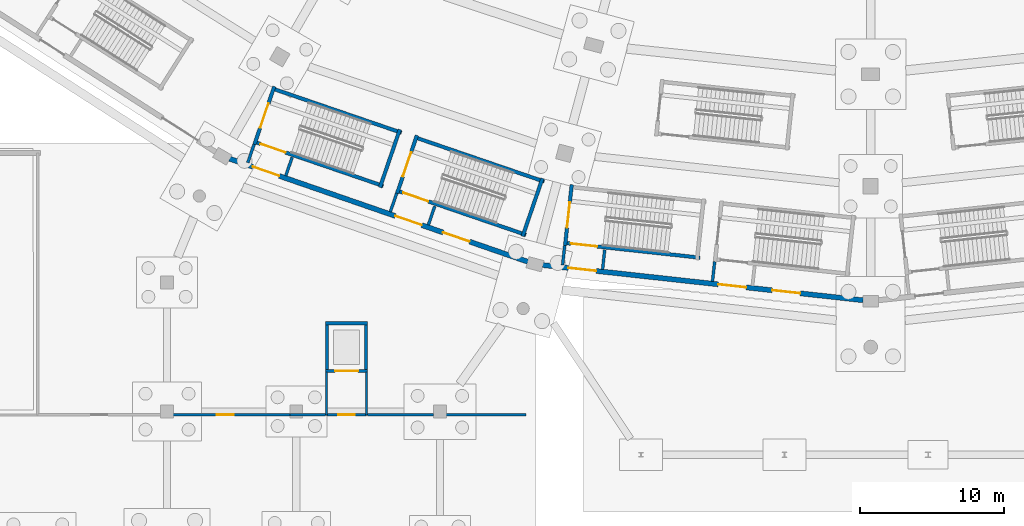
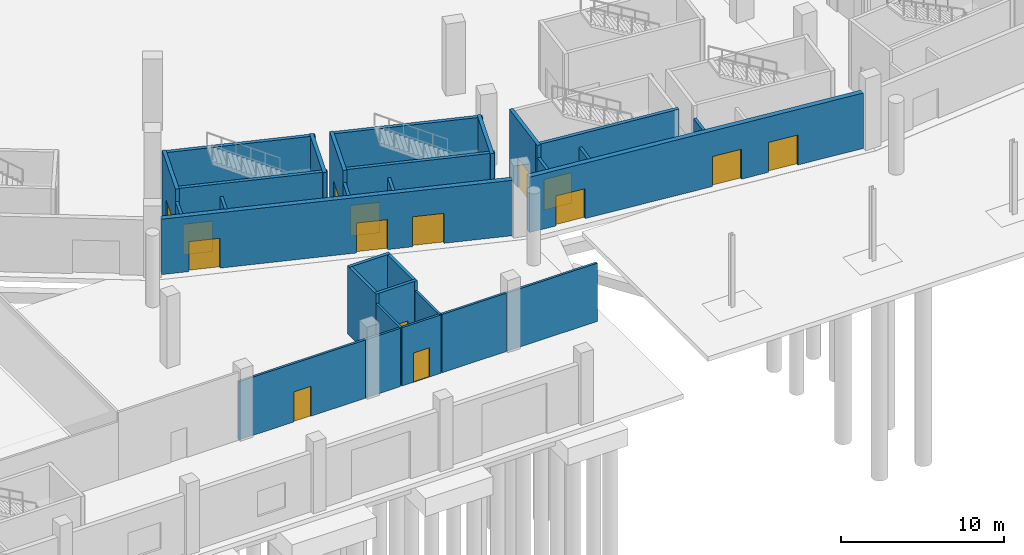
# One storey, part 32 of 103: 30 walls, 15 doors, 15 openings.
"""IFC4 building model written with IfcOpenShell, lengths in metres."""

import ifcopenshell
import ifcopenshell.guid

model = None  # the IFC model being written
_history = None  # IfcOwnerHistory: only IFC2X3 demands one
_inside = {}  # id of a spatial element -> (the spatial element, [elements in it])
_under = {}  # id of a project, library or spatial element -> (it, [spatial elements below it])
_declared = {}  # id of a project -> (the project, [libraries it declares])
_typed = {}  # id of a type object -> (the type object, [elements of that type])
_made_of = {}  # id of a material, layer set ... -> (it, [elements and type objects made of it])


def new_model(schema):
    """Start an empty IFC model of exactly this schema.

    Asked for "IFC4X3", IfcOpenShell would pick the latest addendum, in which some entities
    have other attributes; the version numbers below select the first issue.
    IFC2X3 requires an IfcOwnerHistory on every rooted entity: one is made here for all.
    """
    global model, _history
    if schema == "IFC4X3":
        model = ifcopenshell.file(schema_version=(4, 3, 0, 0))
    else:
        model = ifcopenshell.file(schema=schema)
    _inside.clear()
    _under.clear()
    _declared.clear()
    _typed.clear()
    _made_of.clear()
    _history = None
    if model.schema == "IFC2X3":
        org = make("IfcOrganization", Name="unknown")
        user = make(
            "IfcPersonAndOrganization",
            ThePerson=make("IfcPerson", FamilyName="unknown"),
            TheOrganization=org,
        )
        app = make(
            "IfcApplication",
            ApplicationDeveloper=org,
            Version="unknown",
            ApplicationFullName="unknown",
            ApplicationIdentifier="unknown",
        )
        _history = make(
            "IfcOwnerHistory",
            OwningUser=user,
            OwningApplication=app,
            ChangeAction="ADDED",
            CreationDate=0,
        )
    return model


def make(cls, **values):
    """One entity of the class cls with the attributes given. An attribute that is None is left unset."""
    return model.create_entity(
        cls, **{name: value for name, value in values.items() if value is not None}
    )


def rooted(cls, **values):
    """An entity with a GlobalId (a new one), such as an element, a storey or a relation."""
    return make(cls, GlobalId=ifcopenshell.guid.new(), OwnerHistory=_history, **values)


def si_unit(unit_type, name, prefix=None):
    """IfcSIUnit, for example si_unit("LENGTHUNIT", "METRE", prefix="MILLI")."""
    return make("IfcSIUnit", UnitType=unit_type, Prefix=prefix, Name=name)


def assignment(units):
    """IfcUnitAssignment: the units of a project."""
    return None if units is None else make("IfcUnitAssignment", Units=units)


def point(xyz):
    """IfcCartesianPoint."""
    return None if xyz is None else make("IfcCartesianPoint", Coordinates=xyz)


def direction(xyz):
    """IfcDirection."""
    return None if xyz is None else make("IfcDirection", DirectionRatios=xyz)


def frame(location, z_axis=None, x_axis=None):
    """IfcAxis2Placement3D, a coordinate frame: its origin and axes. An axis left out is left unset."""
    return make(
        "IfcAxis2Placement3D",
        Location=point(location),
        Axis=direction(z_axis),
        RefDirection=direction(x_axis),
    )


def frame_2d(location, x_axis=None):
    """IfcAxis2Placement2D, a coordinate frame in the plane: its origin and x axis."""
    return make(
        "IfcAxis2Placement2D", Location=point(location), RefDirection=direction(x_axis)
    )


def origin():
    """The frame at (0, 0, 0) with its axes left unset."""
    return frame((0.0, 0.0, 0.0))


def place(relative_to, where):
    """IfcLocalPlacement: puts the frame where relative to a parent placement (None: the world)."""
    return make(
        "IfcLocalPlacement", PlacementRelTo=relative_to, RelativePlacement=where
    )


def context(
    kind, dimensions, precision=None, world=None, true_north=None, identifier=None
):
    """IfcGeometricRepresentationContext, for example the 3D "Model" context."""
    return make(
        "IfcGeometricRepresentationContext",
        ContextIdentifier=identifier,
        ContextType=kind,
        CoordinateSpaceDimension=dimensions,
        Precision=precision,
        WorldCoordinateSystem=world,
        TrueNorth=true_north,
    )


def subcontext(parent, identifier, kind, view, scale=None):
    """IfcGeometricRepresentationSubContext, for example "Body" below "Model"."""
    return make(
        "IfcGeometricRepresentationSubContext",
        ContextIdentifier=identifier,
        ContextType=kind,
        ParentContext=parent,
        TargetScale=scale,
        TargetView=view,
    )


def project(units=None, contexts=None):
    """IfcProject with its units and contexts."""
    return rooted(
        "IfcProject",
        Name="project",
        RepresentationContexts=contexts,
        UnitsInContext=assignment(units),
    )


def spatial(cls, under=None, at=None, **own):
    """A site, building, storey or space (cls), placed at a placement, below another one or the project."""
    s = rooted(cls, ObjectPlacement=at, **own)
    if under is not None:
        _under.setdefault(under.id(), (under, []))[1].append(s)
    return s


def profile(cls, at=None, kind="AREA", **sizes):
    """A parametric profile (cls). Its sizes go by their IFC names, for example OverallWidth=200.0."""
    return make(cls, ProfileType=kind, Position=at, **sizes)


def rectangle(**sizes):
    """IfcRectangleProfileDef."""
    return profile("IfcRectangleProfileDef", **sizes)


def extrude(swept, where, along, depth):
    """IfcExtrudedAreaSolid: the profile swept, set in the frame where, extruded along a direction by depth."""
    return make(
        "IfcExtrudedAreaSolid",
        SweptArea=swept,
        Position=where,
        ExtrudedDirection=direction(along),
        Depth=depth,
    )


def shape(context_of_items, identifier, shape_type, items):
    """IfcShapeRepresentation: the items that make up one representation, for example the "Body"."""
    return make(
        "IfcShapeRepresentation",
        ContextOfItems=context_of_items,
        RepresentationIdentifier=identifier,
        RepresentationType=shape_type,
        Items=items,
    )


def material(Name=None, Category=None):
    """IfcMaterial."""
    return make("IfcMaterial", Name=Name, Category=Category)


def layer(
    of_material, thickness, ventilated=None, Name=None, Category=None, Priority=None
):
    """IfcMaterialLayer: one layer of a wall or slab, of a material (None: an air gap)."""
    return make(
        "IfcMaterialLayer",
        Material=of_material,
        LayerThickness=thickness,
        IsVentilated=ventilated,
        Name=Name,
        Category=Category,
        Priority=Priority,
    )


def layer_set(layers, Name=None):
    """IfcMaterialLayerSet."""
    return make("IfcMaterialLayerSet", MaterialLayers=layers, LayerSetName=Name)


def made_of(thing, what):
    """Note that an element or type object is made of a material, layer set ...; save() writes the relation."""
    if what is not None:
        _made_of.setdefault(what.id(), (what, []))[1].append(thing)
    return thing


def type_object(cls, material=None, **own):
    """A type object (cls), such as IfcWallType, which elements share."""
    return made_of(rooted(cls, **own), material)


def element(
    cls,
    number,
    at=None,
    inside=None,
    cuts=None,
    type_object=None,
    material=None,
    context=None,
    identifier="Body",
    shape_type=None,
    held_by="IfcProductDefinitionShape",
    body=None,
    shapes=None,
    **own,
):
    """One element of the class cls, such as IfcWall. Its Tag is "e" and its number.

    at: its placement. inside: the storey or other place that contains it. cuts: it is an
    opening in that element (IfcRelVoidsElement). A single representation is given by context,
    identifier, shape_type and body (its items); several are given by shapes. held_by: the class
    of the entity that holds the representations. save() writes the other relations.
    """
    e = rooted(cls, Tag="e%d" % number, ObjectPlacement=at, **own)
    if body is not None:
        shapes = [shape(context, identifier, shape_type, body)]
    if shapes is not None:
        e.Representation = make(held_by, Representations=shapes)
    if inside is not None:
        _inside.setdefault(inside.id(), (inside, []))[1].append(e)
    if cuts is not None:
        rooted(
            "IfcRelVoidsElement", RelatingBuildingElement=cuts, RelatedOpeningElement=e
        )
    if type_object is not None:
        _typed.setdefault(type_object.id(), (type_object, []))[1].append(e)
    return made_of(e, material)


def fill(opening, filler):
    """IfcRelFillsElement: the door or window that sits in an opening."""
    return rooted(
        "IfcRelFillsElement",
        RelatingOpeningElement=opening,
        RelatedBuildingElement=filler,
    )


def aggregate(whole, parts):
    """IfcRelAggregates: a whole, such as a stair, and the parts it consists of."""
    return rooted("IfcRelAggregates", RelatingObject=whole, RelatedObjects=parts)


def save(model, path):
    """Write the relations noted so far, then the file.

    IfcRelAggregates (storeys below a building ...), IfcRelContainedInSpatialStructure (elements
    in a storey), IfcRelDefinesByType, IfcRelAssociatesMaterial and IfcRelDeclares: one each for
    every whole, place, type object, material and project.
    """
    for whole, parts in _under.values():
        aggregate(whole, parts)
    for where, things in _inside.values():
        rooted(
            "IfcRelContainedInSpatialStructure",
            RelatedElements=things,
            RelatingStructure=where,
        )
    for kind, things in _typed.values():
        rooted("IfcRelDefinesByType", RelatedObjects=things, RelatingType=kind)
    for what, things in _made_of.values():
        rooted("IfcRelAssociatesMaterial", RelatedObjects=things, RelatingMaterial=what)
    for by, libraries in _declared.values():
        rooted("IfcRelDeclares", RelatingContext=by, RelatedDefinitions=libraries)
    model.write(path)


model = new_model("IFC4")

# Units and contexts
model_context = context("Model", 3, precision=1e-05, world=origin(), true_north=direction((0.0, 1.0)))
body_context = subcontext(model_context, "Body", "Model", "MODEL_VIEW")
ifc_project = project(units=[si_unit("LENGTHUNIT", "METRE"), si_unit("AREAUNIT", "SQUARE_METRE"), si_unit("VOLUMEUNIT", "CUBIC_METRE"), si_unit("PLANEANGLEUNIT", "RADIAN"), si_unit("MASSUNIT", "GRAM", prefix="KILO")], contexts=[model_context])

# Site, building, storey
site_placement = place(None, origin())
site = spatial("IfcSite", under=ifc_project, at=site_placement, CompositionType="ELEMENT")
building_placement = place(site_placement, origin())
building = spatial("IfcBuilding", under=site, at=building_placement, Name="Zevraka Park Crest Stadium", CompositionType="ELEMENT")
storey_placement = place(building_placement, origin())
storey = spatial("IfcBuildingStorey", under=building, at=storey_placement, Name="L00", CompositionType="ELEMENT", Elevation=0.0)

# Wall, openings, doors
ifc_material_1 = material(Name="Limestone and red clay brick masonry", Category="masonry")
ifc_layer_1 = layer(ifc_material_1, 0.35009765625)
ifc_layer_set_1 = layer_set([ifc_layer_1], Name="Limestone and red clay brick masonry")
wall_type_1 = type_object("IfcWallType", Name="EW01", PredefinedType="STANDARD", material=ifc_layer_set_1)
wall_1_placement = place(storey_placement, frame((88.131103515625, 19.43798828125, 0.0), z_axis=(0.0, 0.0, 1.0), x_axis=(-0.945215757663, 0.326446276538, 0.0)))
wall_1 = element("IfcWall", 1, at=wall_1_placement, inside=storey, type_object=wall_type_1, Name="L00 Pointed-Arch Colonnade Wall EW01 16", PredefinedType="STANDARD", context=body_context, shape_type="SweptSolid", body=[
    extrude(rectangle(XDim=21.979248046875, YDim=0.35009765625, at=frame_2d((10.98974609375, 0.0))), origin(), (0.0, 0.0, 1.0), 4.1650390625),
])
opening_1_placement = place(wall_1_placement, frame((18.318115234375, 0.0, 0.0)))
opening_1 = element("IfcOpeningElement", 2, at=opening_1_placement, cuts=wall_1, Name="Opening D-L00-EX-ST17", PredefinedType="OPENING", context=body_context, shape_type="SweptSolid", body=[
    extrude(rectangle(XDim=1.949951171875, YDim=2.25, at=frame_2d((0.97509765625, 1.125))), frame((0.0, 0.18505859375, 0.0), z_axis=(0.0, -1.0, 0.0), x_axis=(1.0, 0.0, 0.0)), (0.0, 0.0, 1.0), 0.3701171875),
])
opening_2_placement = place(wall_1_placement, frame((7.818115234375, 0.0, 0.0)))
opening_2 = element("IfcOpeningElement", 3, at=opening_2_placement, cuts=wall_1, Name="Opening D-L00-EX-ST29", PredefinedType="OPENING", context=body_context, shape_type="SweptSolid", body=[
    extrude(rectangle(XDim=1.949951171875, YDim=2.25, at=frame_2d((0.97509765625, 1.125))), frame((0.0, 0.18505859375, 0.0), z_axis=(0.0, -1.0, 0.0), x_axis=(1.0, 0.0, 0.0)), (0.0, 0.0, 1.0), 0.3701171875),
])
opening_3_placement = place(wall_1_placement, frame((4.300048828125, 0.0, 0.0)))
opening_3 = element("IfcOpeningElement", 4, at=opening_3_placement, cuts=wall_1, Name="Opening D-L00-E17", PredefinedType="OPENING", context=body_context, shape_type="SweptSolid", body=[
    extrude(rectangle(XDim=1.949951171875, YDim=2.25, at=frame_2d((0.97509765625, 1.125))), frame((0.0, 0.18505859375, 0.0), z_axis=(0.0, -1.0, 0.0), x_axis=(1.0, 0.0, 0.0)), (0.0, 0.0, 1.0), 0.3701171875),
])
ifc_material_2 = material(Name="Thermally broken architectural aluminium and safety glass", Category="aluminium")
door_type_1 = type_object("IfcDoorType", Name="ED05", OperationType="NOTDEFINED", PredefinedType="DOOR", material=ifc_material_2)
door_1_placement = place(opening_1_placement, origin())
door_1 = element("IfcDoor", 5, at=door_1_placement, inside=storey, type_object=door_type_1, Name="Stair Final Exit Discharge Door D-L00-EX-ST17", OperationType="DOUBLE_DOOR_SINGLE_SWING", OverallHeight=2.25, OverallWidth=1.949951171875, PredefinedType="DOOR", context=body_context, shape_type="SweptSolid", body=[
    extrude(rectangle(XDim=1.949951171875, YDim=2.25, at=frame_2d((0.97509765625, 1.125))), frame((0.0, 0.02490234375, 0.0), z_axis=(0.0, -1.0, 0.0), x_axis=(1.0, 0.0, 0.0)), (0.0, 0.0, 1.0), 0.050048828125),
])
fill(opening_1, door_1)
door_2_placement = place(opening_2_placement, origin())
door_2 = element("IfcDoor", 6, at=door_2_placement, inside=storey, type_object=door_type_1, Name="Stair Final Exit Discharge Door D-L00-EX-ST29", OperationType="DOUBLE_DOOR_SINGLE_SWING", OverallHeight=2.25, OverallWidth=1.949951171875, PredefinedType="DOOR", context=body_context, shape_type="SweptSolid", body=[
    extrude(rectangle(XDim=1.949951171875, YDim=2.25, at=frame_2d((0.97509765625, 1.125))), frame((0.0, 0.02490234375, 0.0), z_axis=(0.0, -1.0, 0.0), x_axis=(1.0, 0.0, 0.0)), (0.0, 0.0, 1.0), 0.050048828125),
])
fill(opening_2, door_2)
door_3_placement = place(opening_3_placement, origin())
door_3 = element("IfcDoor", 7, at=door_3_placement, inside=storey, type_object=door_type_1, Name="Concourse Final Exit E17", OperationType="DOUBLE_DOOR_SINGLE_SWING", OverallHeight=2.25, OverallWidth=1.949951171875, PredefinedType="DOOR", context=body_context, shape_type="SweptSolid", body=[
    extrude(rectangle(XDim=1.949951171875, YDim=2.25, at=frame_2d((0.97509765625, 1.125))), frame((0.0, 0.02490234375, 0.0), z_axis=(0.0, -1.0, 0.0), x_axis=(1.0, 0.0, 0.0)), (0.0, 0.0, 1.0), 0.050048828125),
])
fill(opening_3, door_3)

wall_2_placement = place(storey_placement, frame((111.47509765625, 16.758056640625, 0.0), z_axis=(0.0, 0.0, 1.0), x_axis=(-0.994028735725, 0.10911861689, 0.0)))
wall_2 = element("IfcWall", 8, at=wall_2_placement, inside=storey, type_object=wall_type_1, Name="L00 Pointed-Arch Colonnade Wall EW01 17", PredefinedType="STANDARD", context=body_context, shape_type="SweptSolid", body=[
    extrude(rectangle(XDim=22.4521484375, YDim=0.35009765625, at=frame_2d((11.22607421875, 0.0))), origin(), (0.0, 0.0, 1.0), 4.1650390625),
])
opening_4_placement = place(wall_2_placement, frame((18.697021484375, 0.0, 0.0)))
opening_4 = element("IfcOpeningElement", 9, at=opening_4_placement, cuts=wall_2, Name="Opening D-L00-EX-ST18", PredefinedType="OPENING", context=body_context, shape_type="SweptSolid", body=[
    extrude(rectangle(XDim=1.949951171875, YDim=2.25, at=frame_2d((0.97509765625, 1.125))), frame((0.0, 0.18505859375, 0.0), z_axis=(0.0, -1.0, 0.0), x_axis=(1.0, 0.0, 0.0)), (0.0, 0.0, 1.0), 0.3701171875),
])
opening_5_placement = place(wall_2_placement, frame((8.197021484375, 0.0, 0.0)))
opening_5 = element("IfcOpeningElement", 10, at=opening_5_placement, cuts=wall_2, Name="Opening D-L00-EX-ST30", PredefinedType="OPENING", context=body_context, shape_type="SweptSolid", body=[
    extrude(rectangle(XDim=1.949951171875, YDim=2.25, at=frame_2d((0.97509765625, 1.125))), frame((0.0, 0.18505859375, 0.0), z_axis=(0.0, -1.0, 0.0), x_axis=(1.0, 0.0, 0.0)), (0.0, 0.0, 1.0), 0.3701171875),
])
opening_6_placement = place(wall_2_placement, frame((4.4130859375, 0.0, 0.0)))
opening_6 = element("IfcOpeningElement", 11, at=opening_6_placement, cuts=wall_2, Name="Opening D-L00-E18", PredefinedType="OPENING", context=body_context, shape_type="SweptSolid", body=[
    extrude(rectangle(XDim=1.949951171875, YDim=2.25, at=frame_2d((0.97509765625, 1.125))), frame((0.0, 0.18505859375, 0.0), z_axis=(0.0, -1.0, 0.0), x_axis=(1.0, 0.0, 0.0)), (0.0, 0.0, 1.0), 0.3701171875),
])
door_4_placement = place(opening_4_placement, origin())
door_4 = element("IfcDoor", 12, at=door_4_placement, inside=storey, type_object=door_type_1, Name="Stair Final Exit Discharge Door D-L00-EX-ST18", OperationType="DOUBLE_DOOR_SINGLE_SWING", OverallHeight=2.25, OverallWidth=1.949951171875, PredefinedType="DOOR", context=body_context, shape_type="SweptSolid", body=[
    extrude(rectangle(XDim=1.949951171875, YDim=2.25, at=frame_2d((0.97509765625, 1.125))), frame((0.0, 0.02490234375, 0.0), z_axis=(0.0, -1.0, 0.0), x_axis=(1.0, 0.0, 0.0)), (0.0, 0.0, 1.0), 0.050048828125),
])
fill(opening_4, door_4)
door_5_placement = place(opening_5_placement, origin())
door_5 = element("IfcDoor", 13, at=door_5_placement, inside=storey, type_object=door_type_1, Name="Stair Final Exit Discharge Door D-L00-EX-ST30", OperationType="DOUBLE_DOOR_SINGLE_SWING", OverallHeight=2.25, OverallWidth=1.949951171875, PredefinedType="DOOR", context=body_context, shape_type="SweptSolid", body=[
    extrude(rectangle(XDim=1.949951171875, YDim=2.25, at=frame_2d((0.97509765625, 1.125))), frame((0.0, 0.02490234375, 0.0), z_axis=(0.0, -1.0, 0.0), x_axis=(1.0, 0.0, 0.0)), (0.0, 0.0, 1.0), 0.050048828125),
])
fill(opening_5, door_5)
door_6_placement = place(opening_6_placement, origin())
door_6 = element("IfcDoor", 14, at=door_6_placement, inside=storey, type_object=door_type_1, Name="Concourse Final Exit E18", OperationType="DOUBLE_DOOR_SINGLE_SWING", OverallHeight=2.25, OverallWidth=1.949951171875, PredefinedType="DOOR", context=body_context, shape_type="SweptSolid", body=[
    extrude(rectangle(XDim=1.949951171875, YDim=2.25, at=frame_2d((0.97509765625, 1.125))), frame((0.0, 0.02490234375, 0.0), z_axis=(0.0, -1.0, 0.0), x_axis=(1.0, 0.0, 0.0)), (0.0, 0.0, 1.0), 0.050048828125),
])
fill(opening_6, door_6)

# Walls
ifc_material_3 = material(Name="Autoclaved aerated masonry blockwork", Category="masonry")
ifc_layer_2 = layer(ifc_material_3, 0.199951171875)
ifc_layer_set_2 = layer_set([ifc_layer_2], Name="Autoclaved aerated masonry blockwork")
wall_type_2 = type_object("IfcWallType", Name="IW01", PredefinedType="PARTITIONING", material=ifc_layer_set_2)
wall_3_placement = place(storey_placement, frame((69.06298828125, 27.615966796875, 0.0), z_axis=(0.0, 0.0, 1.0), x_axis=(-0.326626008273, -0.945153665136, 0.0)))
element("IfcWall", 15, at=wall_3_placement, inside=storey, type_object=wall_type_2, Name="Protected Exit Passageway Wall IW01 ST17-A", PredefinedType="PARTITIONING", context=body_context, shape_type="SweptSolid", body=[
    extrude(rectangle(XDim=1.349853515625, YDim=0.199951171875, at=frame_2d((0.6748046875, 0.0))), origin(), (0.0, 0.0, 1.0), 4.1650390625),
])
wall_4_placement = place(storey_placement, frame((71.712158203125, 26.708984375, 0.0), z_axis=(0.0, 0.0, 1.0), x_axis=(-0.326461818728, -0.945210389761, 0.0)))
element("IfcWall", 16, at=wall_4_placement, inside=storey, type_object=wall_type_2, Name="Protected Exit Passageway Wall IW01 ST17-B", PredefinedType="PARTITIONING", context=body_context, shape_type="SweptSolid", body=[
    extrude(rectangle(XDim=1.357421875, YDim=0.199951171875, at=frame_2d((0.6787109375, 0.0))), origin(), (0.0, 0.0, 1.0), 4.1650390625),
])
wall_5_placement = place(storey_placement, frame((90.69580078125, 20.57666015625, 0.0), z_axis=(0.0, 0.0, 1.0), x_axis=(-0.109105210456, -0.994030207313, 0.0)))
element("IfcWall", 17, at=wall_5_placement, inside=storey, type_object=wall_type_2, Name="Protected Exit Passageway Wall IW01 ST18-A", PredefinedType="PARTITIONING", context=body_context, shape_type="SweptSolid", body=[
    extrude(rectangle(XDim=1.3740234375, YDim=0.199951171875, at=frame_2d((0.68701171875, 0.0))), origin(), (0.0, 0.0, 1.0), 4.1650390625),
])
wall_6_placement = place(storey_placement, frame((93.4794921875, 20.273681640625, 0.0), z_axis=(0.0, 0.0, 1.0), x_axis=(-0.109301909368, -0.994008597854, 0.0)))
element("IfcWall", 18, at=wall_6_placement, inside=storey, type_object=wall_type_2, Name="Protected Exit Passageway Wall IW01 ST18-B", PredefinedType="PARTITIONING", context=body_context, shape_type="SweptSolid", body=[
    extrude(rectangle(XDim=1.3759765625, YDim=0.199951171875, at=frame_2d((0.68798828125, 0.0))), origin(), (0.0, 0.0, 1.0), 4.1650390625),
])
wall_7_placement = place(storey_placement, frame((78.9970703125, 24.215087890625, 0.0), z_axis=(0.0, 0.0, 1.0), x_axis=(-0.326410930849, -0.945227964156, 0.0)))
element("IfcWall", 19, at=wall_7_placement, inside=storey, type_object=wall_type_2, Name="Protected Exit Passageway Wall IW01 ST29-A", PredefinedType="PARTITIONING", context=body_context, shape_type="SweptSolid", body=[
    extrude(rectangle(XDim=1.37841796875, YDim=0.199951171875, at=frame_2d((0.689208984375, 0.0))), origin(), (0.0, 0.0, 1.0), 4.1650390625),
])
wall_8_placement = place(storey_placement, frame((81.64599609375, 23.307861328125, 0.0), z_axis=(0.0, 0.0, 1.0), x_axis=(-0.32614815498, -0.945318666378, 0.0)))
element("IfcWall", 20, at=wall_8_placement, inside=storey, type_object=wall_type_2, Name="Protected Exit Passageway Wall IW01 ST29-B", PredefinedType="PARTITIONING", context=body_context, shape_type="SweptSolid", body=[
    extrude(rectangle(XDim=1.385498046875, YDim=0.199951171875, at=frame_2d((0.69287109375, 0.0))), origin(), (0.0, 0.0, 1.0), 4.1650390625),
])
wall_9_placement = place(storey_placement, frame((101.1337890625, 19.440673828125, 0.0), z_axis=(0.0, 0.0, 1.0), x_axis=(-0.109094546517, -0.994031377734, 0.0)))
element("IfcWall", 21, at=wall_9_placement, inside=storey, type_object=wall_type_2, Name="Protected Exit Passageway Wall IW01 ST30-A", PredefinedType="PARTITIONING", context=body_context, shape_type="SweptSolid", body=[
    extrude(rectangle(XDim=1.383056640625, YDim=0.199951171875, at=frame_2d((0.69140625, 0.0))), origin(), (0.0, 0.0, 1.0), 4.1650390625),
])
ifc_material_4 = material(Name="Fire-rated twin-stud acoustic drywall", Category="other")
ifc_layer_3 = layer(ifc_material_4, 0.159912109375)
ifc_layer_set_3 = layer_set([ifc_layer_3], Name="Fire-rated twin-stud acoustic drywall")
wall_type_3 = type_object("IfcWallType", Name="IW02", PredefinedType="PARTITIONING", material=ifc_layer_set_3)
for number, where, z_axis, x_axis, name in (
    (22, (74.110107421875, 11.75, 0.0), (0.0, 0.0, 1.0), (0.0, -1.0, 0.0), "Goods Lift Lobby Wall IW02 GL02 L00 LEFT"),
    (23, (76.889892578125, 11.75, 0.0), (0.0, 0.0, 1.0), (0.0, -1.0, 0.0), "Goods Lift Lobby Wall IW02 GL02 L00 RIGHT"),
):
    element("IfcWall", number, at=place(storey_placement, frame(where, z_axis=z_axis, x_axis=x_axis)), inside=storey, type_object=wall_type_3, Name=name, PredefinedType="PARTITIONING", context=body_context, shape_type="SweptSolid", body=[
        extrude(rectangle(XDim=2.969970703125, YDim=0.159912109375, at=frame_2d((1.48486328125, 0.0))), origin(), (0.0, 0.0, 1.0), 4.383544921875),
    ])

# Wall, opening, door
wall_10_placement = place(storey_placement, frame((74.110107421875, 8.780029296875, 0.0), z_axis=(0.0, 0.0, 1.0), x_axis=(1.0, 0.0, 0.0)))
wall_10 = element("IfcWall", 24, at=wall_10_placement, inside=storey, type_object=wall_type_3, Name="Goods Lift Lobby Wall IW02 GL02 L00 FRONT", PredefinedType="PARTITIONING", context=body_context, shape_type="SweptSolid", body=[
    extrude(rectangle(XDim=2.77978515625, YDim=0.159912109375, at=frame_2d((1.389892578125, 0.0))), origin(), (0.0, 0.0, 1.0), 4.383544921875),
])
opening_7_placement = place(wall_10_placement, frame((0.81494140625, 0.0, 0.0)))
opening_7 = element("IfcOpeningElement", 25, at=opening_7_placement, cuts=wall_10, Name="Opening D-L00-333", PredefinedType="OPENING", context=body_context, shape_type="SweptSolid", body=[
    extrude(rectangle(XDim=1.14990234375, YDim=2.199951171875, at=frame_2d((0.574951171875, 1.10009765625))), frame((0.0, 0.08984375, 0.0), z_axis=(0.0, -1.0, 0.0), x_axis=(1.0, 0.0, 0.0)), (0.0, 0.0, 1.0), 0.179931640625),
])
ifc_material_5 = material(Name="Solid-core hardwood timber leaf in steel frame", Category="steel")
door_type_2 = type_object("IfcDoorType", Name="DR03", OperationType="NOTDEFINED", PredefinedType="DOOR", material=ifc_material_5)
door_7_placement = place(opening_7_placement, origin())
door_7 = element("IfcDoor", 26, at=door_7_placement, inside=storey, type_object=door_type_2, Name="Goods Lift Lobby GL02 Door D-L00-333", OperationType="SINGLE_SWING_LEFT", OverallHeight=2.199951171875, OverallWidth=1.14990234375, PredefinedType="DOOR", context=body_context, shape_type="SweptSolid", body=[
    extrude(rectangle(XDim=1.14990234375, YDim=2.199951171875, at=frame_2d((0.574951171875, 1.10009765625))), frame((0.0, 0.02490234375, 0.0), z_axis=(0.0, -1.0, 0.0), x_axis=(1.0, 0.0, 0.0)), (0.0, 0.0, 1.0), 0.050048828125),
])
fill(opening_7, door_7)

wall_11_placement = place(storey_placement, frame((62.550048828125, 8.780029296875, 0.0), z_axis=(0.0, 0.0, 1.0), x_axis=(1.0, 0.0, 0.0)))
wall_11 = element("IfcWall", 27, at=wall_11_placement, inside=storey, type_object=wall_type_3, Name="Interior Partition IW02 Enclosed Broadcast Truck Loading Bay L00", PredefinedType="PARTITIONING", context=body_context, shape_type="SweptSolid", body=[
    extrude(rectangle(XDim=9.014892578125, YDim=0.159912109375, at=frame_2d((4.50732421875, 0.0))), origin(), (0.0, 0.0, 1.0), 4.383544921875),
])
opening_8_placement = place(wall_11_placement, frame((3.91796875, 0.0, 0.0)))
opening_8 = element("IfcOpeningElement", 28, at=opening_8_placement, cuts=wall_11, Name="Opening D-L00-368", PredefinedType="OPENING", context=body_context, shape_type="SweptSolid", body=[
    extrude(rectangle(XDim=1.179931640625, YDim=2.25, at=frame_2d((0.58984375, 1.125))), frame((0.0, 0.08984375, 0.0), z_axis=(0.0, -1.0, 0.0), x_axis=(1.0, 0.0, 0.0)), (0.0, 0.0, 1.0), 0.179931640625),
])
ifc_material_6 = material(Name="Solid-core hardwood timber leaf in steel frame", Category="steel")
door_type_3 = type_object("IfcDoorType", Name="DR24", OperationType="NOTDEFINED", PredefinedType="DOOR", material=ifc_material_6)
door_8_placement = place(opening_8_placement, origin())
door_8 = element("IfcDoor", 29, at=door_8_placement, inside=storey, type_object=door_type_3, Name="Enclosed Broadcast Truck Loading Bay Door D-L00-368", OperationType="SINGLE_SWING_LEFT", OverallHeight=2.25, OverallWidth=1.179931640625, PredefinedType="DOOR", context=body_context, shape_type="SweptSolid", body=[
    extrude(rectangle(XDim=1.179931640625, YDim=2.25, at=frame_2d((0.58984375, 1.125))), frame((0.0, 0.02490234375, 0.0), z_axis=(0.0, -1.0, 0.0), x_axis=(1.0, 0.0, 0.0)), (0.0, 0.0, 1.0), 0.050048828125),
])
fill(opening_8, door_8)

# Walls
wall_12_placement = place(storey_placement, frame((71.550048828125, 8.780029296875, 0.0), z_axis=(0.0, 0.0, 1.0), x_axis=(1.0, 0.0, 0.0)))
element("IfcWall", 30, at=wall_12_placement, inside=storey, type_object=wall_type_3, Name="Interior Partition IW02 Enclosed Broadcast Truck Loading Bay L00", PredefinedType="PARTITIONING", context=body_context, shape_type="SweptSolid", body=[
    extrude(rectangle(XDim=2.47998046875, YDim=0.159912109375, at=frame_2d((1.239990234375, 0.0))), origin(), (0.0, 0.0, 1.0), 4.383544921875),
])
wall_13_placement = place(storey_placement, frame((76.969970703125, 8.780029296875, 0.0), z_axis=(0.0, 0.0, 1.0), x_axis=(1.0, 0.0, 0.0)))
element("IfcWall", 31, at=wall_13_placement, inside=storey, type_object=wall_type_3, Name="Interior Partition IW02 Enclosed Broadcast Truck Loading Bay L00", PredefinedType="PARTITIONING", context=body_context, shape_type="SweptSolid", body=[
    extrude(rectangle(XDim=4.594970703125, YDim=0.159912109375, at=frame_2d((2.29736328125, 0.0))), origin(), (0.0, 0.0, 1.0), 4.383544921875),
])
wall_14_placement = place(storey_placement, frame((81.550048828125, 8.780029296875, 0.0), z_axis=(0.0, 0.0, 1.0), x_axis=(1.0, 0.0, 0.0)))
element("IfcWall", 32, at=wall_14_placement, inside=storey, type_object=wall_type_3, Name="Interior Partition IW02 Enclosed Broadcast Truck Loading Bay L00", PredefinedType="PARTITIONING", context=body_context, shape_type="SweptSolid", body=[
    extrude(rectangle(XDim=6.449951171875, YDim=0.159912109375, at=frame_2d((3.22509765625, 0.0))), origin(), (0.0, 0.0, 1.0), 4.383544921875),
])

# Wall, opening, door
ifc_material_7 = material(Name="Concrete C40/50", Category="concrete")
ifc_layer_4 = layer(ifc_material_7, 0.25)
ifc_layer_set_4 = layer_set([ifc_layer_4], Name="Concrete C40/50")
wall_type_4 = type_object("IfcWallType", Name="SW01", PredefinedType="SHEAR", material=ifc_layer_set_4)
wall_15_placement = place(storey_placement, frame((78.05859375, 24.71533203125, 0.0), z_axis=(0.0, 0.0, 1.0), x_axis=(-0.946064424228, 0.323978556712, 0.0)))
wall_15 = element("IfcWall", 33, at=wall_15_placement, inside=storey, type_object=wall_type_4, Name="Stair Core Shear Wall SW01 ST17 L00 left", PredefinedType="SHEAR", context=body_context, shape_type="SweptSolid", body=[
    extrude(rectangle(XDim=9.550048828125, YDim=0.25, at=frame_2d((4.77490234375, 0.0))), origin(), (0.0, 0.0, 1.0), 5.10009765625),
])
opening_9_placement = place(wall_15_placement, frame((7.18994140625, 0.0, 0.0)))
opening_9 = element("IfcOpeningElement", 34, at=opening_9_placement, cuts=wall_15, Name="Opening D-L00-099", PredefinedType="OPENING", context=body_context, shape_type="SweptSolid", body=[
    extrude(rectangle(XDim=1.85009765625, YDim=2.300048828125, at=frame_2d((0.925048828125, 1.14990234375))), frame((0.0, 0.135009765625, 0.0), z_axis=(0.0, -1.0, 0.0), x_axis=(1.0, 0.0, 0.0)), (0.0, 0.0, 1.0), 0.27001953125),
])
ifc_material_8 = material(Name="Solid-core hardwood timber leaf in steel frame", Category="steel")
door_type_4 = type_object("IfcDoorType", Name="DR05", OperationType="NOTDEFINED", PredefinedType="DOOR", material=ifc_material_8)
door_9_placement = place(opening_9_placement, origin())
door_9 = element("IfcDoor", 35, at=door_9_placement, inside=storey, type_object=door_type_4, Name="Stair Exit Discharge Door ST17", OperationType="DOUBLE_DOOR_SINGLE_SWING", OverallHeight=2.300048828125, OverallWidth=1.85009765625, PredefinedType="DOOR", context=body_context, shape_type="SweptSolid", body=[
    extrude(rectangle(XDim=1.85009765625, YDim=2.300048828125, at=frame_2d((0.925048828125, 1.14990234375))), frame((0.0, 0.02490234375, 0.0), z_axis=(0.0, -1.0, 0.0), x_axis=(1.0, 0.0, 0.0)), (0.0, 0.0, 1.0), 0.050048828125),
])
fill(opening_9, door_9)

# Wall
wall_16_placement = place(storey_placement, frame((79.328369140625, 28.423828125, 0.0), z_axis=(0.0, 0.0, 1.0), x_axis=(-0.946064424228, 0.323978556712, 0.0)))
element("IfcWall", 36, at=wall_16_placement, inside=storey, type_object=wall_type_4, Name="Stair Core Shear Wall SW01 ST17 L00 right", PredefinedType="SHEAR", context=body_context, shape_type="SweptSolid", body=[
    extrude(rectangle(XDim=9.550048828125, YDim=0.25, at=frame_2d((4.77490234375, 0.0))), origin(), (0.0, 0.0, 1.0), 5.10009765625),
])

# Wall, opening, door
wall_17_placement = place(storey_placement, frame((70.466796875, 31.63818359375, 0.0), z_axis=(0.0, 0.0, 1.0), x_axis=(-0.323971192516, -0.946066946056, 0.0)))
wall_17 = element("IfcWall", 37, at=wall_17_placement, inside=storey, type_object=wall_type_4, Name="Stair Core Shear Wall SW01 ST17 L00 near", PredefinedType="SHEAR", context=body_context, shape_type="SweptSolid", body=[
    extrude(rectangle(XDim=4.260009765625, YDim=0.25, at=frame_2d((2.1298828125, 0.0))), origin(), (0.0, 0.0, 1.0), 5.10009765625),
])
opening_10_placement = place(wall_17_placement, frame((1.22998046875, 0.0, 0.0)))
opening_10 = element("IfcOpeningElement", 38, at=opening_10_placement, cuts=wall_17, Name="Opening D-L00-098", PredefinedType="OPENING", context=body_context, shape_type="SweptSolid", body=[
    extrude(rectangle(XDim=1.800048828125, YDim=2.25, at=frame_2d((0.89990234375, 1.125))), frame((0.0, 0.135009765625, 0.0), z_axis=(0.0, -1.0, 0.0), x_axis=(1.0, 0.0, 0.0)), (0.0, 0.0, 1.0), 0.27001953125),
])
ifc_material_9 = material(Name="Solid-core hardwood timber leaf in steel frame", Category="steel")
door_type_5 = type_object("IfcDoorType", Name="DR04", OperationType="NOTDEFINED", PredefinedType="DOOR", material=ifc_material_9)
door_10_placement = place(opening_10_placement, origin())
door_10 = element("IfcDoor", 39, at=door_10_placement, inside=storey, type_object=door_type_5, Name="Protected Stair Entry Door ST17 L00", OperationType="DOUBLE_DOOR_SINGLE_SWING", OverallHeight=2.25, OverallWidth=1.800048828125, PredefinedType="DOOR", context=body_context, shape_type="SweptSolid", body=[
    extrude(rectangle(XDim=1.800048828125, YDim=2.25, at=frame_2d((0.89990234375, 1.125))), frame((0.0, 0.02490234375, 0.0), z_axis=(0.0, -1.0, 0.0), x_axis=(1.0, 0.0, 0.0)), (0.0, 0.0, 1.0), 0.050048828125),
])
fill(opening_10, door_10)

# Wall
wall_18_placement = place(storey_placement, frame((77.828369140625, 24.614501953125, 0.0), z_axis=(0.0, 0.0, 1.0), x_axis=(0.323971192516, 0.946066946056, 0.0)))
element("IfcWall", 40, at=wall_18_placement, inside=storey, type_object=wall_type_4, Name="Stair Core Shear Wall SW01 ST17 L00 far", PredefinedType="SHEAR", context=body_context, shape_type="SweptSolid", body=[
    extrude(rectangle(XDim=4.260009765625, YDim=0.25, at=frame_2d((2.1298828125, 0.0))), origin(), (0.0, 0.0, 1.0), 5.10009765625),
])

# Wall, opening, door
wall_19_placement = place(storey_placement, frame((100.108642578125, 19.72314453125, 0.0), z_axis=(0.0, 0.0, 1.0), x_axis=(-0.994127555169, 0.108214620337, 0.0)))
wall_19 = element("IfcWall", 41, at=wall_19_placement, inside=storey, type_object=wall_type_4, Name="Stair Core Shear Wall SW01 ST18 L00 left", PredefinedType="SHEAR", context=body_context, shape_type="SweptSolid", body=[
    extrude(rectangle(XDim=9.550048828125, YDim=0.25, at=frame_2d((4.77490234375, 0.0))), origin(), (0.0, 0.0, 1.0), 5.10009765625),
])
opening_11_placement = place(wall_19_placement, frame((7.18994140625, 0.0, 0.0)))
opening_11 = element("IfcOpeningElement", 42, at=opening_11_placement, cuts=wall_19, Name="Opening D-L00-105", PredefinedType="OPENING", context=body_context, shape_type="SweptSolid", body=[
    extrude(rectangle(XDim=1.85009765625, YDim=2.300048828125, at=frame_2d((0.925048828125, 1.14990234375))), frame((0.0, 0.135009765625, 0.0), z_axis=(0.0, -1.0, 0.0), x_axis=(1.0, 0.0, 0.0)), (0.0, 0.0, 1.0), 0.27001953125),
])
door_11_placement = place(opening_11_placement, origin())
door_11 = element("IfcDoor", 43, at=door_11_placement, inside=storey, type_object=door_type_4, Name="Stair Exit Discharge Door ST18", OperationType="DOUBLE_DOOR_SINGLE_SWING", OverallHeight=2.300048828125, OverallWidth=1.85009765625, PredefinedType="DOOR", context=body_context, shape_type="SweptSolid", body=[
    extrude(rectangle(XDim=1.85009765625, YDim=2.300048828125, at=frame_2d((0.925048828125, 1.14990234375))), frame((0.0, 0.02490234375, 0.0), z_axis=(0.0, -1.0, 0.0), x_axis=(1.0, 0.0, 0.0)), (0.0, 0.0, 1.0), 0.050048828125),
])
fill(opening_11, door_11)

wall_20_placement = place(storey_placement, frame((91.181640625, 24.80908203125, 0.0), z_axis=(0.0, 0.0, 1.0), x_axis=(-0.108198315262, -0.994129329903, 0.0)))
wall_20 = element("IfcWall", 44, at=wall_20_placement, inside=storey, type_object=wall_type_4, Name="Stair Core Shear Wall SW01 ST18 L00 near", PredefinedType="SHEAR", context=body_context, shape_type="SweptSolid", body=[
    extrude(rectangle(XDim=4.260009765625, YDim=0.25, at=frame_2d((2.1298828125, 0.0))), origin(), (0.0, 0.0, 1.0), 5.10009765625),
])
opening_12_placement = place(wall_20_placement, frame((1.22998046875, 0.0, 0.0)))
opening_12 = element("IfcOpeningElement", 45, at=opening_12_placement, cuts=wall_20, Name="Opening D-L00-104", PredefinedType="OPENING", context=body_context, shape_type="SweptSolid", body=[
    extrude(rectangle(XDim=1.800048828125, YDim=2.25, at=frame_2d((0.89990234375, 1.125))), frame((0.0, 0.135009765625, 0.0), z_axis=(0.0, -1.0, 0.0), x_axis=(1.0, 0.0, 0.0)), (0.0, 0.0, 1.0), 0.27001953125),
])
door_12_placement = place(opening_12_placement, origin())
door_12 = element("IfcDoor", 46, at=door_12_placement, inside=storey, type_object=door_type_5, Name="Protected Stair Entry Door ST18 L00", OperationType="DOUBLE_DOOR_SINGLE_SWING", OverallHeight=2.25, OverallWidth=1.800048828125, PredefinedType="DOOR", context=body_context, shape_type="SweptSolid", body=[
    extrude(rectangle(XDim=1.800048828125, YDim=2.25, at=frame_2d((0.89990234375, 1.125))), frame((0.0, 0.02490234375, 0.0), z_axis=(0.0, -1.0, 0.0), x_axis=(1.0, 0.0, 0.0)), (0.0, 0.0, 1.0), 0.050048828125),
])
fill(opening_12, door_12)

wall_21_placement = place(storey_placement, frame((87.992431640625, 21.314453125, 0.0), z_axis=(0.0, 0.0, 1.0), x_axis=(-0.946072259645, 0.323955675256, 0.0)))
wall_21 = element("IfcWall", 47, at=wall_21_placement, inside=storey, type_object=wall_type_4, Name="Stair Core Shear Wall SW01 ST29 L00 left", PredefinedType="SHEAR", context=body_context, shape_type="SweptSolid", body=[
    extrude(rectangle(XDim=9.5498046875, YDim=0.25, at=frame_2d((4.77490234375, 0.0))), origin(), (0.0, 0.0, 1.0), 5.10009765625),
])
opening_13_placement = place(wall_21_placement, frame((7.18994140625, 0.0, 0.0)))
opening_13 = element("IfcOpeningElement", 48, at=opening_13_placement, cuts=wall_21, Name="Opening D-L00-166", PredefinedType="OPENING", context=body_context, shape_type="SweptSolid", body=[
    extrude(rectangle(XDim=1.85009765625, YDim=2.300048828125, at=frame_2d((0.925048828125, 1.14990234375))), frame((0.0, 0.135009765625, 0.0), z_axis=(0.0, -1.0, 0.0), x_axis=(1.0, 0.0, 0.0)), (0.0, 0.0, 1.0), 0.27001953125),
])
door_13_placement = place(opening_13_placement, origin())
door_13 = element("IfcDoor", 49, at=door_13_placement, inside=storey, type_object=door_type_4, Name="Stair Exit Discharge Door ST29", OperationType="DOUBLE_DOOR_SINGLE_SWING", OverallHeight=2.300048828125, OverallWidth=1.85009765625, PredefinedType="DOOR", context=body_context, shape_type="SweptSolid", body=[
    extrude(rectangle(XDim=1.85009765625, YDim=2.300048828125, at=frame_2d((0.925048828125, 1.14990234375))), frame((0.0, 0.02490234375, 0.0), z_axis=(0.0, -1.0, 0.0), x_axis=(1.0, 0.0, 0.0)), (0.0, 0.0, 1.0), 0.050048828125),
])
fill(opening_13, door_13)

# Wall
wall_22_placement = place(storey_placement, frame((89.262451171875, 25.02294921875, 0.0), z_axis=(0.0, 0.0, 1.0), x_axis=(-0.946064424228, 0.323978556712, 0.0)))
element("IfcWall", 50, at=wall_22_placement, inside=storey, type_object=wall_type_4, Name="Stair Core Shear Wall SW01 ST29 L00 right", PredefinedType="SHEAR", context=body_context, shape_type="SweptSolid", body=[
    extrude(rectangle(XDim=9.550048828125, YDim=0.25, at=frame_2d((4.77490234375, 0.0))), origin(), (0.0, 0.0, 1.0), 5.10009765625),
])

# Wall, opening, door
wall_23_placement = place(storey_placement, frame((80.40087890625, 28.2373046875, 0.0), z_axis=(0.0, 0.0, 1.0), x_axis=(-0.323971192516, -0.946066946056, 0.0)))
wall_23 = element("IfcWall", 51, at=wall_23_placement, inside=storey, type_object=wall_type_4, Name="Stair Core Shear Wall SW01 ST29 L00 near", PredefinedType="SHEAR", context=body_context, shape_type="SweptSolid", body=[
    extrude(rectangle(XDim=4.260009765625, YDim=0.25, at=frame_2d((2.1298828125, 0.0))), origin(), (0.0, 0.0, 1.0), 5.10009765625),
])
opening_14_placement = place(wall_23_placement, frame((1.22998046875, 0.0, 0.0)))
opening_14 = element("IfcOpeningElement", 52, at=opening_14_placement, cuts=wall_23, Name="Opening D-L00-165", PredefinedType="OPENING", context=body_context, shape_type="SweptSolid", body=[
    extrude(rectangle(XDim=1.800048828125, YDim=2.25, at=frame_2d((0.89990234375, 1.125))), frame((0.0, 0.135009765625, 0.0), z_axis=(0.0, -1.0, 0.0), x_axis=(1.0, 0.0, 0.0)), (0.0, 0.0, 1.0), 0.27001953125),
])
door_14_placement = place(opening_14_placement, origin())
door_14 = element("IfcDoor", 53, at=door_14_placement, inside=storey, type_object=door_type_5, Name="Protected Stair Entry Door ST29 L00", OperationType="DOUBLE_DOOR_SINGLE_SWING", OverallHeight=2.25, OverallWidth=1.800048828125, PredefinedType="DOOR", context=body_context, shape_type="SweptSolid", body=[
    extrude(rectangle(XDim=1.800048828125, YDim=2.25, at=frame_2d((0.89990234375, 1.125))), frame((0.0, 0.02490234375, 0.0), z_axis=(0.0, -1.0, 0.0), x_axis=(1.0, 0.0, 0.0)), (0.0, 0.0, 1.0), 0.050048828125),
])
fill(opening_14, door_14)

# Wall
wall_24_placement = place(storey_placement, frame((87.762451171875, 21.21337890625, 0.0), z_axis=(0.0, 0.0, 1.0), x_axis=(0.323971192516, 0.946066946056, 0.0)))
element("IfcWall", 54, at=wall_24_placement, inside=storey, type_object=wall_type_4, Name="Stair Core Shear Wall SW01 ST29 L00 far", PredefinedType="SHEAR", context=body_context, shape_type="SweptSolid", body=[
    extrude(rectangle(XDim=4.260009765625, YDim=0.25, at=frame_2d((2.1298828125, 0.0))), origin(), (0.0, 0.0, 1.0), 5.10009765625),
])

# Wall, opening, door
ifc_material_10 = material(Name="Concrete C40/50", Category="concrete")
ifc_layer_5 = layer(ifc_material_10, 0.219970703125)
ifc_layer_set_5 = layer_set([ifc_layer_5], Name="Concrete C40/50")
wall_type_5 = type_object("IfcWallType", Name="SW02", PredefinedType="SHEAR", material=ifc_layer_set_5)
wall_25_placement = place(storey_placement, frame((74.030029296875, 11.840087890625, 0.0), z_axis=(0.0, 0.0, 1.0), x_axis=(1.0, 0.0, 0.0)))
wall_25 = element("IfcWall", 55, at=wall_25_placement, inside=storey, type_object=wall_type_5, Name="Lift Shaft Shear Wall SW02 GL02 L00-1", PredefinedType="SHEAR", context=body_context, shape_type="SweptSolid", body=[
    extrude(rectangle(XDim=2.93994140625, YDim=0.219970703125, at=frame_2d((1.469970703125, 0.0))), origin(), (0.0, 0.0, 1.0), 5.10009765625),
])
opening_15_placement = place(wall_25_placement, frame((0.669921875, 0.0, 0.0)))
opening_15 = element("IfcOpeningElement", 56, at=opening_15_placement, cuts=wall_25, Name="Opening LD-GL02-L00", PredefinedType="OPENING", context=body_context, shape_type="SweptSolid", body=[
    extrude(rectangle(XDim=1.60009765625, YDim=2.300048828125, at=frame_2d((0.800048828125, 1.14990234375))), frame((0.0, 0.119873046875, 0.0), z_axis=(0.0, -1.0, 0.0), x_axis=(1.0, 0.0, 0.0)), (0.0, 0.0, 1.0), 0.239990234375),
])
ifc_material_11 = material(Name="Brushed stainless steel lift landing doors", Category="steel")
door_type_6 = type_object("IfcDoorType", Name="LD03", OperationType="NOTDEFINED", PredefinedType="DOOR", material=ifc_material_11)
door_15_placement = place(opening_15_placement, origin())
door_15 = element("IfcDoor", 57, at=door_15_placement, inside=storey, type_object=door_type_6, Name="Lift Sliding Landing Door LD-GL02-L00", OperationType="SLIDING_TO_LEFT", OverallHeight=2.300048828125, OverallWidth=1.60009765625, PredefinedType="DOOR", context=body_context, shape_type="SweptSolid", body=[
    extrude(rectangle(XDim=1.60009765625, YDim=2.300048828125, at=frame_2d((0.800048828125, 1.14990234375))), frame((0.0, 0.02490234375, 0.0), z_axis=(0.0, -1.0, 0.0), x_axis=(1.0, 0.0, 0.0)), (0.0, 0.0, 1.0), 0.050048828125),
])
fill(opening_15, door_15)

# Walls
wall_26_placement = place(storey_placement, frame((76.860107421875, 11.72998046875, 0.0), z_axis=(0.0, 0.0, 1.0), x_axis=(0.0, 1.0, 0.0)))
element("IfcWall", 58, at=wall_26_placement, inside=storey, type_object=wall_type_5, Name="Lift Shaft Shear Wall SW02 GL02 L00-2", PredefinedType="SHEAR", context=body_context, shape_type="SweptSolid", body=[
    extrude(rectangle(XDim=3.5400390625, YDim=0.219970703125, at=frame_2d((1.77001953125, 0.0))), origin(), (0.0, 0.0, 1.0), 5.10009765625),
])
wall_27_placement = place(storey_placement, frame((76.969970703125, 15.159912109375, 0.0), z_axis=(0.0, 0.0, 1.0), x_axis=(-1.0, 0.0, 0.0)))
element("IfcWall", 59, at=wall_27_placement, inside=storey, type_object=wall_type_5, Name="Lift Shaft Shear Wall SW02 GL02 L00-3", PredefinedType="SHEAR", context=body_context, shape_type="SweptSolid", body=[
    extrude(rectangle(XDim=2.93994140625, YDim=0.219970703125, at=frame_2d((1.469970703125, 0.0))), origin(), (0.0, 0.0, 1.0), 5.10009765625),
])
wall_28_placement = place(storey_placement, frame((74.139892578125, 15.27001953125, 0.0), z_axis=(0.0, 0.0, 1.0), x_axis=(0.0, -1.0, 0.0)))
element("IfcWall", 60, at=wall_28_placement, inside=storey, type_object=wall_type_5, Name="Lift Shaft Shear Wall SW02 GL02 L00-4", PredefinedType="SHEAR", context=body_context, shape_type="SweptSolid", body=[
    extrude(rectangle(XDim=3.5400390625, YDim=0.219970703125, at=frame_2d((1.77001953125, 0.0))), origin(), (0.0, 0.0, 1.0), 5.10009765625),
])

save(model, "model.ifc")
